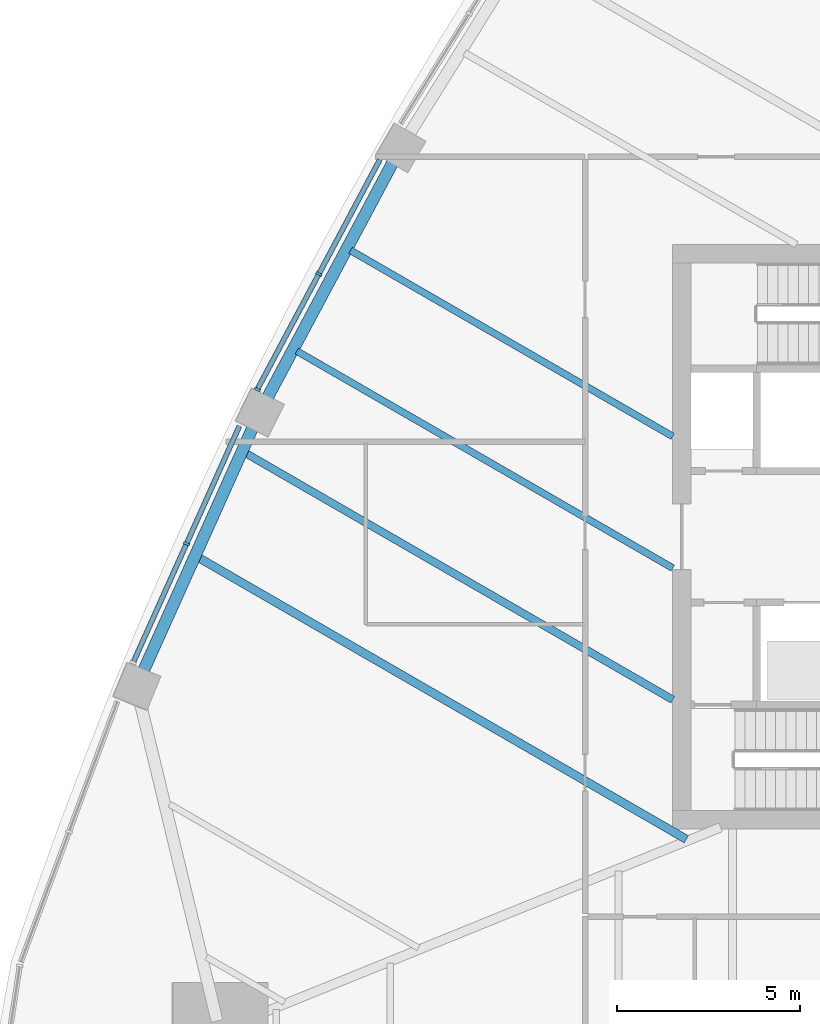
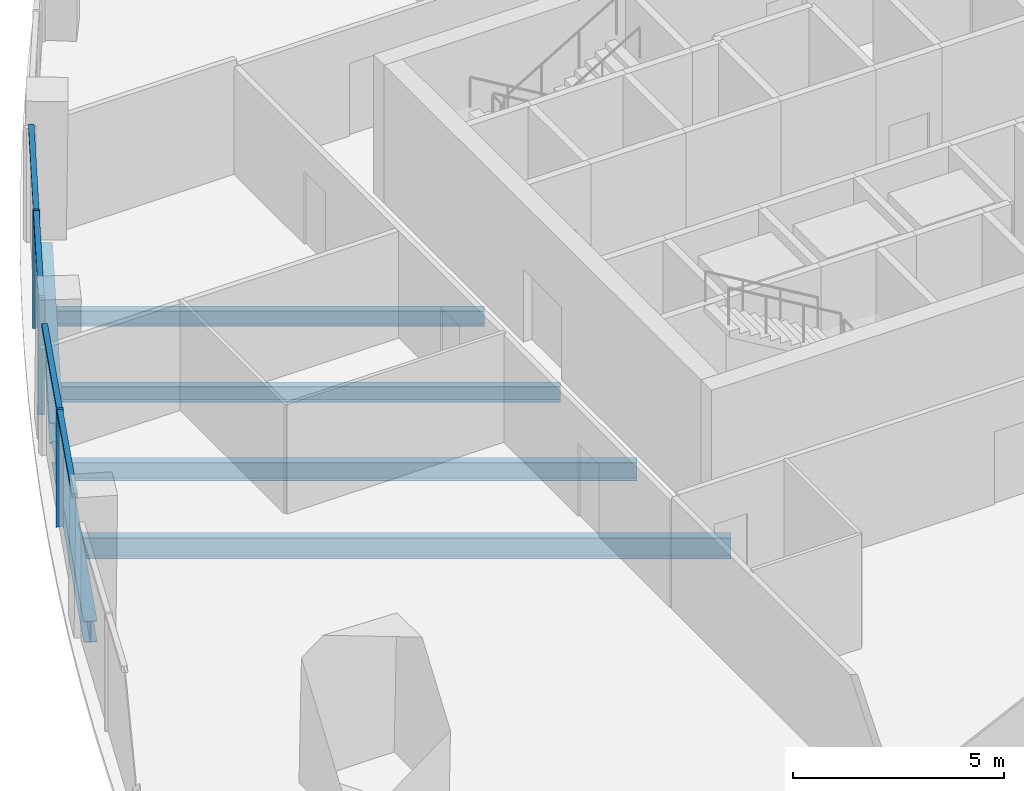
# One storey, part 3 of 19: 7 members, 6 beams, 2 elements without a shape of their own.
"""IFC4 building model written with IfcOpenShell, lengths in metres."""

from ifc_helpers import new_model, si_unit, direction, frame, origin, origin_2d, place, context, subcontext, project, spatial, rectangle, i_section, extrude, material, layer, layer_set, material_profile, profile_set, type_object, element, aggregate, save


model = new_model("IFC4")

# Units and contexts
model_context = context("Model", 3, precision=1e-05, world=origin(), true_north=direction((0.0, 1.0)))
body_context = subcontext(model_context, "Body", "Model", "MODEL_VIEW")
ifc_project = project(units=[si_unit("LENGTHUNIT", "METRE"), si_unit("AREAUNIT", "SQUARE_METRE"), si_unit("VOLUMEUNIT", "CUBIC_METRE"), si_unit("PLANEANGLEUNIT", "RADIAN"), si_unit("MASSUNIT", "GRAM", prefix="KILO")], contexts=[model_context])

# Site, building, storey
site_placement = place(None, origin())
site = spatial("IfcSite", under=ifc_project, at=site_placement, CompositionType="ELEMENT")
building_placement = place(site_placement, origin())
building = spatial("IfcBuilding", under=site, at=building_placement, Name="Sierra Prisma Convention Tower", CompositionType="ELEMENT")
storey_placement = place(building_placement, frame((0.0, 0.0, 185.800048828125)))
storey = spatial("IfcBuildingStorey", under=building, at=storey_placement, Name="L41", CompositionType="ELEMENT", Elevation=185.800048828125)

# Curtain wall, members
ifc_material_1 = material(Name="Aluminium and glass curtain wall", Category="aluminium")
ifc_layer = layer(ifc_material_1, 0.179931640625)
ifc_layer_set = layer_set([ifc_layer], Name="CW-1 Plain shaft curtain wall")
curtain_wall_type = type_object("IfcCurtainWallType", Name="CW-1 Plain shaft curtain wall", PredefinedType="NOTDEFINED", material=ifc_layer_set)
curtain_wall_1_placement = place(storey_placement, origin())
curtain_wall_1 = element("IfcCurtainWall", 1, at=curtain_wall_1_placement, inside=storey, type_object=curtain_wall_type, Name="CW-1 NW4 L41", PredefinedType="NOTDEFINED")
ifc_material_2 = material(Name="Aluminium 6063-T6 bronze anodised", Category="aluminium")
ifc_material_profile_1 = material_profile(ifc_material_2, rectangle(XDim=0.179931640625, YDim=0.070068359375, at=origin_2d()), Name="ALU MULLION 70x180")
ifc_profile_set_1 = profile_set([ifc_material_profile_1], Name="Aluminium 6063-T6 bronze anodised")
member_type_1 = type_object("IfcMemberType", Name="CW mullion bronze", PredefinedType="MULLION", material=ifc_profile_set_1)
member_1_placement = place(storey_placement, frame((-20.685791015625, 7.192626953125, 0.0), z_axis=(0.0, 0.0, 1.0), x_axis=(0.882438612843, -0.470427565693, 0.0)))
member_1 = element("IfcMember", 2, at=member_1_placement, type_object=member_type_1, Name="CW-1 mullion NW4.2", PredefinedType="MULLION", context=body_context, shape_type="SweptSolid", body=[
    extrude(rectangle(XDim=0.179931640625, YDim=0.070068359375, at=origin_2d()), origin(), (0.0, 0.0, 1.0), 3.39990234375),
])
member_2_placement = place(storey_placement, frame((-22.37060546875, 4.032470703125, 0.0), z_axis=(0.0, 0.0, 1.0), x_axis=(0.882438612843, -0.470427565693, 0.0)))
member_2 = element("IfcMember", 3, at=member_2_placement, type_object=member_type_1, Name="CW-1 mullion NW4.3", PredefinedType="MULLION", context=body_context, shape_type="SweptSolid", body=[
    extrude(rectangle(XDim=0.179931640625, YDim=0.070068359375, at=origin_2d()), origin(), (0.0, 0.0, 1.0), 3.39990234375),
])

# Curtain wall, member
curtain_wall_2_placement = place(storey_placement, origin())
curtain_wall_2 = element("IfcCurtainWall", 4, at=curtain_wall_2_placement, inside=storey, type_object=curtain_wall_type, Name="CW-1 NW5 L41", PredefinedType="NOTDEFINED")
member_3_placement = place(storey_placement, frame((-24.307861328125, -0.19091796875, 0.0), z_axis=(0.0, 0.0, 1.0), x_axis=(0.912219086617, -0.409702743477, 0.0)))
member_3 = element("IfcMember", 5, at=member_3_placement, type_object=member_type_1, Name="CW-1 mullion NW5.2", PredefinedType="MULLION", context=body_context, shape_type="SweptSolid", body=[
    extrude(rectangle(XDim=0.179931640625, YDim=0.070068359375, at=origin_2d()), origin(), (0.0, 0.0, 1.0), 3.39990234375),
])

# Member
ifc_material_3 = material(Name="Aluminium 6063-T6 bronze anodised", Category="aluminium")
ifc_material_profile_2 = material_profile(ifc_material_3, rectangle(XDim=0.139892578125, YDim=0.1201171875, at=origin_2d()), Name="ALU TRANSOM 120x140")
ifc_profile_set_2 = profile_set([ifc_material_profile_2], Name="Aluminium 6063-T6 bronze anodised")
member_type_2 = type_object("IfcMemberType", Name="CW transom bronze", PredefinedType="USERDEFINED", material=ifc_profile_set_2)
member_4_placement = place(storey_placement, frame((-19.017578125, 10.322021484375, 3.33984375), z_axis=(-0.470451091077, -0.88242607107, 0.0), x_axis=(0.88242607107, -0.470451091077, 0.0)))
member_4 = element("IfcMember", 6, at=member_4_placement, type_object=member_type_2, Name="CW-1 transom NW4.1", ObjectType="TRANSOM", PredefinedType="USERDEFINED", context=body_context, shape_type="SweptSolid", body=[
    extrude(rectangle(XDim=0.139892578125, YDim=0.1201171875, at=origin_2d()), origin(), (0.0, 0.0, 1.0), 3.51123046875),
])

member_5_placement = place(storey_placement, frame((-20.702392578125, 7.161865234375, 3.33984375), z_axis=(-0.470396945815, -0.882454935602, 0.0), x_axis=(0.882454935602, -0.470396945815, 0.0)))
member_5 = element("IfcMember", 7, at=member_5_placement, type_object=member_type_2, Name="CW-1 transom NW4.2", ObjectType="TRANSOM", PredefinedType="USERDEFINED", context=body_context, shape_type="SweptSolid", body=[
    extrude(rectangle(XDim=0.139892578125, YDim=0.1201171875, at=origin_2d()), origin(), (0.0, 0.0, 1.0), 3.510986328125),
])

aggregate(curtain_wall_1, [member_1, member_2, member_4, member_5])

member_6_placement = place(storey_placement, frame((-22.861572265625, 3.029541015625, 3.33984375), z_axis=(-0.409667514287, -0.9122349082, 0.0), x_axis=(0.9122349082, -0.409667514287, 0.0)))
member_6 = element("IfcMember", 8, at=member_6_placement, type_object=member_type_2, Name="CW-1 transom NW5.1", ObjectType="TRANSOM", PredefinedType="USERDEFINED", context=body_context, shape_type="SweptSolid", body=[
    extrude(rectangle(XDim=0.139892578125, YDim=0.1201171875, at=origin_2d()), origin(), (0.0, 0.0, 1.0), 3.4951171875),
])

member_7_placement = place(storey_placement, frame((-24.322265625, -0.22265625, 3.33984375), z_axis=(-0.409667514287, -0.9122349082, 0.0), x_axis=(0.9122349082, -0.409667514287, 0.0)))
member_7 = element("IfcMember", 9, at=member_7_placement, type_object=member_type_2, Name="CW-1 transom NW5.2", ObjectType="TRANSOM", PredefinedType="USERDEFINED", context=body_context, shape_type="SweptSolid", body=[
    extrude(rectangle(XDim=0.139892578125, YDim=0.1201171875, at=origin_2d()), origin(), (0.0, 0.0, 1.0), 3.4951171875),
])

aggregate(curtain_wall_2, [member_3, member_6, member_7])

# Beams
ifc_material_4 = material(Name="Steel ASTM A992 Gr 50", Category="steel")
ifc_material_profile_3 = material_profile(ifc_material_4, i_section(OverallWidth=0.18994140625, OverallDepth=0.45703125, WebThickness=0.009033203125, FlangeThickness=0.014404296875, at=origin_2d()), Name="W460x74")
ifc_profile_set_3 = profile_set([ifc_material_profile_3], Name="Steel ASTM A992 Gr 50")
beam_type_1 = type_object("IfcBeamType", Name="Floor joist W460x74", PredefinedType="JOIST", material=ifc_profile_set_3)
beam_1_placement = place(storey_placement, frame((-19.818115234375, 7.837646484375, -0.378662109375), z_axis=(0.866028667706, -0.499994346679, 0.0), x_axis=(0.499994346679, 0.866028667706, 0.0)))
element("IfcBeam", 10, at=beam_1_placement, inside=storey, type_object=beam_type_1, Name="Floor joist L41 NW09", PredefinedType="JOIST", context=body_context, shape_type="SweptSolid", body=[
    extrude(i_section(OverallWidth=0.18994140625, OverallDepth=0.45703125, WebThickness=0.009033203125, FlangeThickness=0.014404296875, at=origin_2d()), origin(), (0.0, 0.0, 1.0), 10.18212890625),
])
beam_2_placement = place(storey_placement, frame((-21.287353515625, 5.08154296875, -0.378662109375), z_axis=(0.866023697677, -0.500002955053, 0.0), x_axis=(0.500002955053, 0.866023697677, 0.0)))
element("IfcBeam", 11, at=beam_2_placement, inside=storey, type_object=beam_type_1, Name="Floor joist L41 NW10", PredefinedType="JOIST", context=body_context, shape_type="SweptSolid", body=[
    extrude(i_section(OverallWidth=0.18994140625, OverallDepth=0.45703125, WebThickness=0.009033203125, FlangeThickness=0.014404296875, at=origin_2d()), origin(), (0.0, 0.0, 1.0), 11.87890625),
])
ifc_material_5 = material(Name="Steel ASTM A992 Gr 50", Category="steel")
ifc_material_profile_4 = material_profile(ifc_material_5, i_section(OverallWidth=0.208984375, OverallDepth=0.532958984375, WebThickness=0.01025390625, FlangeThickness=0.015625, at=origin_2d()), Name="W530x92")
ifc_profile_set_4 = profile_set([ifc_material_profile_4], Name="Steel ASTM A992 Gr 50")
beam_type_2 = type_object("IfcBeamType", Name="Floor joist W530x92", PredefinedType="JOIST", material=ifc_profile_set_4)
beam_3_placement = place(storey_placement, frame((-22.6884765625, 2.2861328125, -0.41650390625), z_axis=(0.866027138637, -0.499996995135, 0.0), x_axis=(0.499996995135, 0.866027138637, 0.0)))
element("IfcBeam", 12, at=beam_3_placement, inside=storey, type_object=beam_type_2, Name="Floor joist L41 NW11", PredefinedType="JOIST", context=body_context, shape_type="SweptSolid", body=[
    extrude(i_section(OverallWidth=0.208984375, OverallDepth=0.532958984375, WebThickness=0.01025390625, FlangeThickness=0.015625, at=origin_2d()), origin(), (0.0, 0.0, 1.0), 13.49658203125),
])
ifc_material_6 = material(Name="Steel ASTM A992 Gr 50", Category="steel")
ifc_material_profile_5 = material_profile(ifc_material_6, i_section(OverallWidth=0.22802734375, OverallDepth=0.60302734375, WebThickness=0.010498046875, FlangeThickness=0.014892578125, at=origin_2d()), Name="W610x101")
ifc_profile_set_5 = profile_set([ifc_material_profile_5], Name="Steel ASTM A992 Gr 50")
beam_type_3 = type_object("IfcBeamType", Name="Floor joist W610x101", PredefinedType="JOIST", material=ifc_profile_set_5)
beam_4_placement = place(storey_placement, frame((-23.973876953125, -0.576171875, -0.45166015625), z_axis=(0.866026229868, -0.499998569178, 0.0), x_axis=(0.499998569178, 0.866026229868, 0.0)))
element("IfcBeam", 13, at=beam_4_placement, inside=storey, type_object=beam_type_3, Name="Floor joist L41 NW12", PredefinedType="JOIST", context=body_context, shape_type="SweptSolid", body=[
    extrude(i_section(OverallWidth=0.22802734375, OverallDepth=0.60302734375, WebThickness=0.010498046875, FlangeThickness=0.014892578125, at=origin_2d()), origin(), (0.0, 0.0, 1.0), 15.40966796875),
])
ifc_material_7 = material(Name="Steel ASTM A992 Gr 50", Category="steel")
ifc_material_profile_6 = material_profile(ifc_material_7, i_section(OverallWidth=0.324951171875, OverallDepth=0.615966796875, WebThickness=0.013916015625, FlangeThickness=0.021484375, at=origin_2d()), Name="W610x174")
ifc_profile_set_6 = profile_set([ifc_material_profile_6], Name="Steel ASTM A992 Gr 50")
beam_type_4 = type_object("IfcBeamType", Name="Spandrel beam W610x174", PredefinedType="BEAM", material=ifc_profile_set_6)
beam_5_placement = place(storey_placement, frame((-18.625244140625, 10.314453125, -0.4580078125), z_axis=(-0.470438762986, -0.882432643481, 0.0), x_axis=(0.882432643481, -0.470438762986, 0.0)))
element("IfcBeam", 14, at=beam_5_placement, inside=storey, type_object=beam_type_4, Name="Spandrel L41-16", PredefinedType="BEAM", context=body_context, shape_type="SweptSolid", body=[
    extrude(i_section(OverallWidth=0.324951171875, OverallDepth=0.615966796875, WebThickness=0.013916015625, FlangeThickness=0.021484375, at=origin_2d()), origin(), (0.0, 0.0, 1.0), 7.460693359375),
])
beam_6_placement = place(storey_placement, frame((-22.4697265625, 3.04833984375, -0.4580078125), z_axis=(-0.409706005871, -0.912217621378, 0.0), x_axis=(0.912217621378, -0.409706005871, 0.0)))
element("IfcBeam", 15, at=beam_6_placement, inside=storey, type_object=beam_type_4, Name="Spandrel L41-17", PredefinedType="BEAM", context=body_context, shape_type="SweptSolid", body=[
    extrude(i_section(OverallWidth=0.324951171875, OverallDepth=0.615966796875, WebThickness=0.013916015625, FlangeThickness=0.021484375, at=origin_2d()), origin(), (0.0, 0.0, 1.0), 7.46044921875),
])

save(model, "model.ifc")
